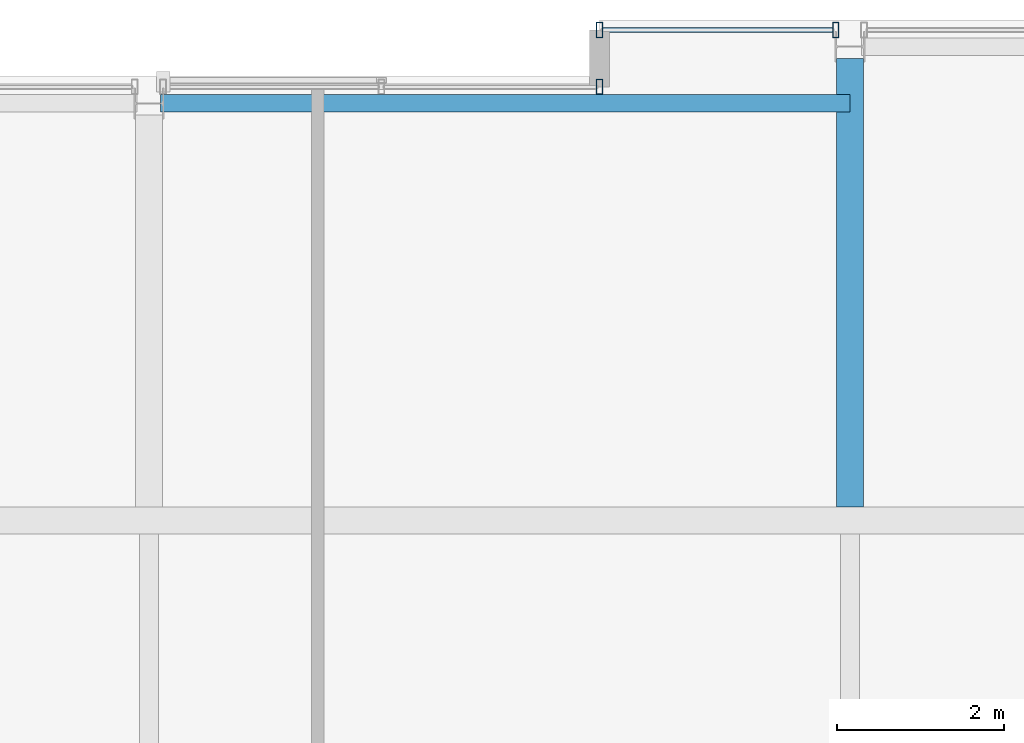
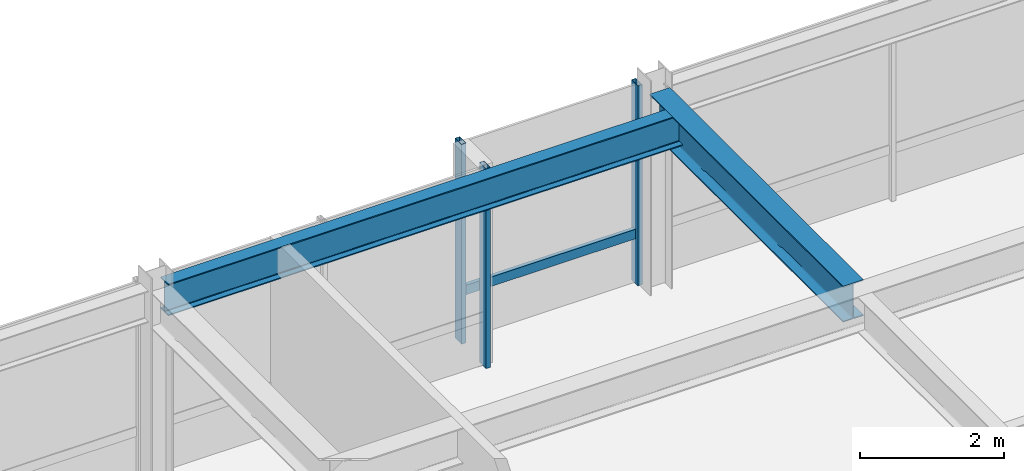
# One storey, part 24 of 33: 4 members, 2 beams, 2 elements without a shape of their own.
"""IFC4 building model written with IfcOpenShell, lengths in metres."""

from ifc_helpers import new_model, si_unit, direction, frame, origin, origin_2d, place, context, subcontext, project, spatial, hollow_rectangle, i_section, extrude, material, layer, layer_set, material_profile, profile_set, type_object, element, aggregate, save


model = new_model("IFC4")

# Units and contexts
model_context = context("Model", 3, precision=1e-05, world=origin(), true_north=direction((0.0, 1.0)))
body_context = subcontext(model_context, "Body", "Model", "MODEL_VIEW")
ifc_project = project(units=[si_unit("LENGTHUNIT", "METRE"), si_unit("AREAUNIT", "SQUARE_METRE"), si_unit("VOLUMEUNIT", "CUBIC_METRE"), si_unit("PLANEANGLEUNIT", "RADIAN"), si_unit("MASSUNIT", "GRAM", prefix="KILO")], contexts=[model_context])

# Site, building, storey
site_placement = place(None, origin())
site = spatial("IfcSite", under=ifc_project, at=site_placement, CompositionType="ELEMENT")
building_placement = place(site_placement, origin())
building = spatial("IfcBuilding", under=site, at=building_placement, Name="Drelvath Grand Hotel", CompositionType="ELEMENT")
storey_placement = place(building_placement, frame((0.0, 0.0, 279.60009765625)))
storey = spatial("IfcBuildingStorey", under=building, at=storey_placement, Name="L73", CompositionType="ELEMENT", Elevation=279.60009765625)

# Curtain wall, member
ifc_material_1 = material(Name="Platinum-Mist Anodised Aluminium Frame", Category="aluminium")
ifc_layer = layer(ifc_material_1, 0.199951171875)
ifc_layer_set = layer_set([ifc_layer], Name="Platinum-Mist Anodised Aluminium Frame")
curtain_wall_type = type_object("IfcCurtainWallType", Name="Stick Curtain Wall CW-05 Platinum Mist High-Rise", PredefinedType="NOTDEFINED", material=ifc_layer_set)
curtain_wall_1_placement = place(storey_placement, origin())
curtain_wall_1 = element("IfcCurtainWall", 1, at=curtain_wall_1_placement, inside=storey, type_object=curtain_wall_type, Name="L73 CW-05 Curtain Wall CW05-L73-NE1", PredefinedType="NOTDEFINED")
ifc_material_profile_1 = material_profile(ifc_material_1, hollow_rectangle(XDim=0.06494140625, YDim=0.159912109375, WallThickness=0.00390625, at=origin_2d()), Name="HSS160X65X4")
ifc_profile_set_1 = profile_set([ifc_material_profile_1], Name="Platinum-Mist Anodised Aluminium Frame")
member_type_1 = type_object("IfcMemberType", Name="Curtain Wall Horizontal Transom CW-05 HSS160X65X4", PredefinedType="USERDEFINED", material=ifc_profile_set_1)
member_1_placement = place(storey_placement, frame((5.43994140625, 49.080078125, 0.847412109375), z_axis=(1.0, 0.0, 0.0), x_axis=(0.0, 1.0, 0.0)))
member_1 = element("IfcMember", 2, at=member_1_placement, type_object=member_type_1, Name="CW05-L73-NE1 Sill Transom", ObjectType="TRANSOM", PredefinedType="USERDEFINED", context=body_context, shape_type="SweptSolid", body=[
    extrude(hollow_rectangle(XDim=0.06494140625, YDim=0.159912109375, WallThickness=0.00390625, at=origin_2d()), origin(), (0.0, 0.0, 1.0), 2.75),
])

curtain_wall_2_placement = place(storey_placement, origin())
curtain_wall_2 = element("IfcCurtainWall", 3, at=curtain_wall_2_placement, inside=storey, type_object=curtain_wall_type, Name="L73 CW-05 Curtain Wall CW05-L73-NM2", PredefinedType="NOTDEFINED")
ifc_material_profile_2 = material_profile(ifc_material_1, hollow_rectangle(XDim=0.074951171875, YDim=0.179931640625, WallThickness=0.0048828125, at=origin_2d()), Name="HSS180X75X5")
ifc_profile_set_2 = profile_set([ifc_material_profile_2], Name="Platinum-Mist Anodised Aluminium Frame")
member_type_2 = type_object("IfcMemberType", Name="Curtain Wall Vertical Mullion CW-05 HSS180X75X5", PredefinedType="MULLION", material=ifc_profile_set_2)
member_2_placement = place(storey_placement, frame((5.39990234375, 48.39990234375, 0.0), z_axis=(0.0, 0.0, 1.0), x_axis=(1.0, 0.0, 0.0)))
member_2 = element("IfcMember", 4, at=member_2_placement, type_object=member_type_2, Name="CW05-L73-NM2 Mullion 3", PredefinedType="MULLION", context=body_context, shape_type="SweptSolid", body=[
    extrude(hollow_rectangle(XDim=0.074951171875, YDim=0.179931640625, WallThickness=0.0048828125, at=origin_2d()), origin(), (0.0, 0.0, 1.0), 3.389892578125),
])
aggregate(curtain_wall_2, [member_2])

# Member
member_3_placement = place(storey_placement, frame((5.39990234375, 49.080078125, 0.0), z_axis=(0.0, 0.0, 1.0), x_axis=(1.0, 0.0, 0.0)))
member_3 = element("IfcMember", 5, at=member_3_placement, type_object=member_type_2, Name="CW05-L73-NE1 Mullion 1", PredefinedType="MULLION", context=body_context, shape_type="SweptSolid", body=[
    extrude(hollow_rectangle(XDim=0.074951171875, YDim=0.179931640625, WallThickness=0.0048828125, at=origin_2d()), origin(), (0.0, 0.0, 1.0), 3.389892578125),
])

member_4_placement = place(storey_placement, frame((8.22998046875, 49.080078125, 0.0), z_axis=(0.0, 0.0, 1.0), x_axis=(1.0, 0.0, 0.0)))
member_4 = element("IfcMember", 6, at=member_4_placement, type_object=member_type_2, Name="CW05-L73-NE1 Mullion 2", PredefinedType="MULLION", context=body_context, shape_type="SweptSolid", body=[
    extrude(hollow_rectangle(XDim=0.074951171875, YDim=0.179931640625, WallThickness=0.0048828125, at=origin_2d()), origin(), (0.0, 0.0, 1.0), 3.389892578125),
])

aggregate(curtain_wall_1, [member_3, member_4, member_1])

# Beams
ifc_material_2 = material(Name="Steel ASTM A992 Gr 50", Category="steel")
ifc_material_profile_3 = material_profile(ifc_material_2, i_section(OverallWidth=0.210205078125, OverallDepth=0.53662109375, WebThickness=0.010986328125, FlangeThickness=0.017333984375, FilletRadius=0.01806640625, at=origin_2d()), Name="W21X68")
ifc_profile_set_3 = profile_set([ifc_material_profile_3], Name="Steel ASTM A992 Gr 50")
beam_type_1 = type_object("IfcBeamType", Name="Perimeter Spandrel Beam W21X68", PredefinedType="SPANDREL", material=ifc_profile_set_3)
beam_1_placement = place(storey_placement, frame((0.139892578125, 48.199951171875, 3.12158203125), z_axis=(1.0, 0.0, 0.0), x_axis=(0.0, 1.0, 0.0)))
element("IfcBeam", 7, at=beam_1_placement, inside=storey, type_object=beam_type_1, Name="L73 Spandrel North Mid E", PredefinedType="SPANDREL", context=body_context, shape_type="SweptSolid", body=[
    extrude(i_section(OverallWidth=0.210205078125, OverallDepth=0.53662109375, WebThickness=0.010986328125, FlangeThickness=0.017333984375, FilletRadius=0.01806640625, at=origin_2d()), origin(), (0.0, 0.0, 1.0), 8.260009765625),
])
ifc_material_profile_4 = material_profile(ifc_material_2, i_section(OverallWidth=0.323974609375, OverallDepth=0.611083984375, WebThickness=0.0126953125, FlangeThickness=0.01904296875, FilletRadius=0.02197265625, at=origin_2d()), Name="W24X104")
ifc_profile_set_4 = profile_set([ifc_material_profile_4], Name="Steel ASTM A992 Gr 50")
beam_type_2 = type_object("IfcBeamType", Name="Primary Floor Girder W24X104", PredefinedType="BEAM", material=ifc_profile_set_4)
beam_2_placement = place(storey_placement, frame((8.39990234375, 43.362060546875, 3.08447265625), z_axis=(0.0, 1.0, 0.0), x_axis=(-1.0, 0.0, 0.0)))
element("IfcBeam", 8, at=beam_2_placement, inside=storey, type_object=beam_type_2, Name="L73 North Wing Girder 6", PredefinedType="BEAM", context=body_context, shape_type="SweptSolid", body=[
    extrude(i_section(OverallWidth=0.323974609375, OverallDepth=0.611083984375, WebThickness=0.0126953125, FlangeThickness=0.01904296875, FilletRadius=0.02197265625, at=origin_2d()), origin(), (0.0, 0.0, 1.0), 5.3779296875),
])

save(model, "model.ifc")
